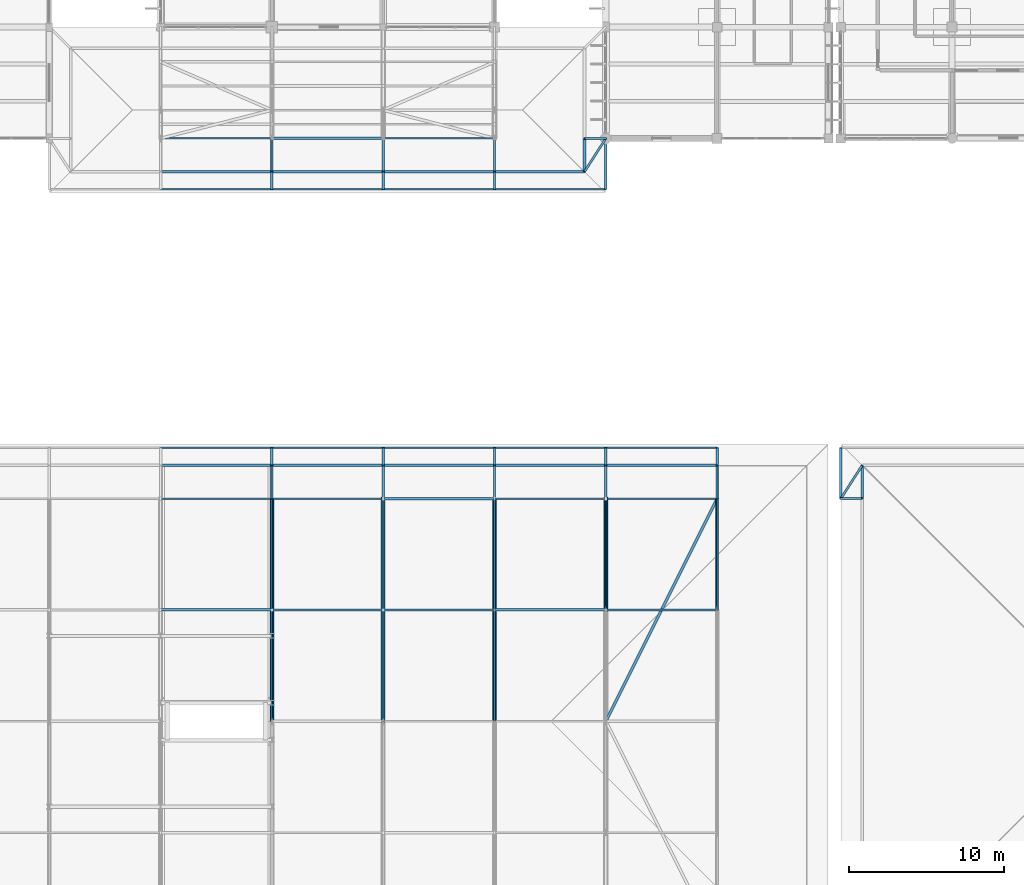
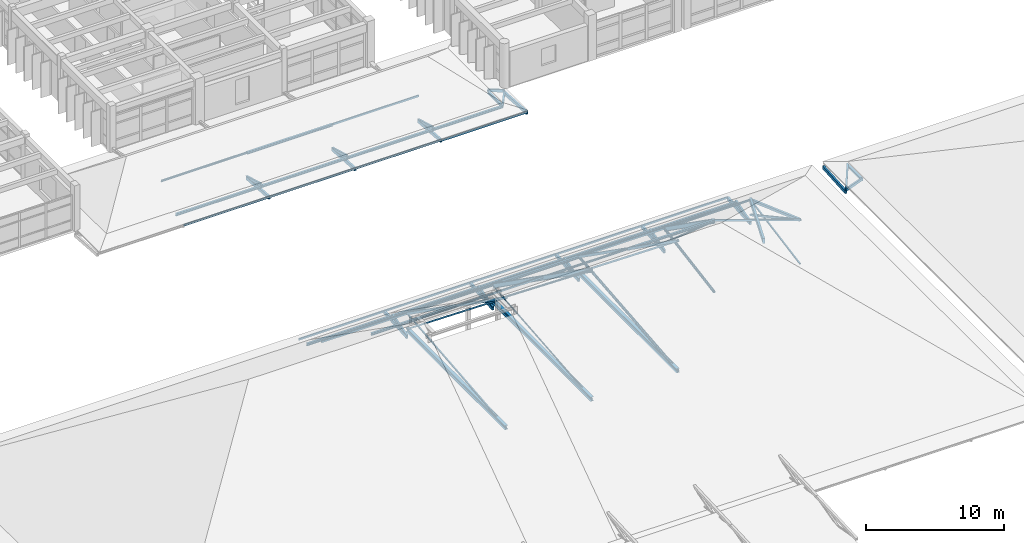
# One storey, part 12 of 100: 74 members.
"""IFC4 building model written with IfcOpenShell, lengths in metres."""

from ifc_helpers import new_model, si_unit, direction, frame, origin, origin_2d, place, context, subcontext, project, spatial, rectangle, hollow_rectangle, hollow_circle, i_section, extrude, material, material_profile, profile_set, type_object, element, save


model = new_model("IFC4")

# Units and contexts
model_context = context("Model", 3, precision=1e-05, world=origin(), true_north=direction((0.0, 1.0)))
body_context = subcontext(model_context, "Body", "Model", "MODEL_VIEW")
ifc_project = project(units=[si_unit("LENGTHUNIT", "METRE"), si_unit("AREAUNIT", "SQUARE_METRE"), si_unit("VOLUMEUNIT", "CUBIC_METRE"), si_unit("PLANEANGLEUNIT", "RADIAN"), si_unit("MASSUNIT", "GRAM", prefix="KILO")], contexts=[model_context])

# Site, building, storey
site_placement = place(None, origin())
site = spatial("IfcSite", under=ifc_project, at=site_placement, CompositionType="ELEMENT")
building_placement = place(site_placement, origin())
building = spatial("IfcBuilding", under=site, at=building_placement, Name="Steenspoor Specialist Clinic", CompositionType="ELEMENT")
storey_placement = place(building_placement, frame((0.0, 0.0, 9.0)))
storey = spatial("IfcBuildingStorey", under=building, at=storey_placement, Name="L02", CompositionType="ELEMENT", Elevation=9.0)

# Members
ifc_material_1 = material(Name="Steel A500 Grade C", Category="steel")
ifc_material_profile_1 = material_profile(ifc_material_1, hollow_circle(Radius=0.084228515625, WallThickness=0.007080078125, at=origin_2d()), Name="CHS168X7.1")
ifc_profile_set_1 = profile_set([ifc_material_profile_1], Name="Steel A500 Grade C")
member_type_1 = type_object("IfcMemberType", Name="MEM-BRACE-CHS168", PredefinedType="BRACE", material=ifc_profile_set_1)
member_1_placement = place(storey_placement, frame((88.39990234375, 27.449951171875, 11.6630859375), z_axis=(0.0, 0.782415513628, -0.622756745474), x_axis=(-1.0, 0.0, 0.0)))
element("IfcMember", 1, at=member_1_placement, inside=storey, type_object=member_type_1, Name="ROOF TRUSS Web Brace V1 7.2", PredefinedType="BRACE", context=body_context, shape_type="SweptSolid", body=[
    extrude(hollow_circle(Radius=0.084228515625, WallThickness=0.007080078125, at=origin_2d()), origin(), (0.0, 0.0, 1.0), 18.40478515625),
])
member_2_placement = place(storey_placement, frame((102.800048828125, 34.64990234375, 6.589111328125), z_axis=(0.0, 0.752709486732, -0.65835281467), x_axis=(-1.0, 0.0, 0.0)))
element("IfcMember", 2, at=member_2_placement, inside=storey, type_object=member_type_1, Name="ROOF TRUSS Web Brace V1 9.4", PredefinedType="BRACE", context=body_context, shape_type="SweptSolid", body=[
    extrude(hollow_circle(Radius=0.084228515625, WallThickness=0.007080078125, at=origin_2d()), origin(), (0.0, 0.0, 1.0), 9.565673828125),
])
ifc_material_profile_2 = material_profile(ifc_material_1, hollow_rectangle(XDim=0.126953125, YDim=0.126953125, WallThickness=0.005859375, at=origin_2d()), Name="HSS127X127X6.4")
ifc_profile_set_2 = profile_set([ifc_material_profile_2], Name="Steel A500 Grade C")
member_type_2 = type_object("IfcMemberType", Name="MEM-BRACE-H127B", PredefinedType="BRACE", material=ifc_profile_set_2)
member_3_placement = place(storey_placement, frame((81.199951171875, 27.449951171875, 11.728515625), z_axis=(0.0, 0.780684120504, -0.624925838794), x_axis=(-1.0, 0.0, 0.0)))
element("IfcMember", 3, at=member_3_placement, inside=storey, type_object=member_type_2, Name="ROOF TRUSS Web Brace V1 6.2", PredefinedType="BRACE", context=body_context, shape_type="SweptSolid", body=[
    extrude(hollow_rectangle(XDim=0.126953125, YDim=0.126953125, WallThickness=0.005859375, at=origin_2d()), origin(), (0.0, 0.0, 1.0), 18.445556640625),
])
ifc_material_profile_3 = material_profile(ifc_material_1, hollow_rectangle(XDim=0.15234375, YDim=0.15234375, WallThickness=0.0087890625, at=origin_2d()), Name="HSS152X152X9.5")
ifc_profile_set_3 = profile_set([ifc_material_profile_3], Name="Steel A500 Grade C")
member_type_3 = type_object("IfcMemberType", Name="MEM-BRACE-H152", PredefinedType="BRACE", material=ifc_profile_set_3)
member_4_placement = place(storey_placement, frame((95.60009765625, 27.449951171875, 11.728515625), z_axis=(0.0, 0.780684120504, -0.624925838794), x_axis=(-1.0, 0.0, 0.0)))
element("IfcMember", 4, at=member_4_placement, inside=storey, type_object=member_type_3, Name="ROOF TRUSS Web Brace V1 8.2", PredefinedType="BRACE", context=body_context, shape_type="SweptSolid", body=[
    extrude(hollow_rectangle(XDim=0.15234375, YDim=0.15234375, WallThickness=0.0087890625, at=origin_2d()), origin(), (0.0, 0.0, 1.0), 18.445556640625),
])
member_5_placement = place(storey_placement, frame((110.0, 34.64990234375, 4.16650390625), z_axis=(0.0, 0.878602771177, -0.477553316898), x_axis=(-1.0, 0.0, 0.0)))
element("IfcMember", 5, at=member_5_placement, inside=storey, type_object=member_type_3, Name="ROOF TRUSS Web Brace V1 10.4", PredefinedType="BRACE", context=body_context, shape_type="SweptSolid", body=[
    extrude(hollow_rectangle(XDim=0.15234375, YDim=0.15234375, WallThickness=0.0087890625, at=origin_2d()), origin(), (0.0, 0.0, 1.0), 8.195068359375),
])
ifc_material_profile_4 = material_profile(ifc_material_1, hollow_rectangle(XDim=0.203125, YDim=0.203125, WallThickness=0.01171875, at=origin_2d()), Name="HSS203X203X12.7")
ifc_profile_set_4 = profile_set([ifc_material_profile_4], Name="Steel A500 Grade C")
member_type_4 = type_object("IfcMemberType", Name="MEM-CHORD-H203", PredefinedType="CHORD", material=ifc_profile_set_4)
for number, where, z_axis, x_axis, name in (
    (6, (81.199951171875, 27.449951171875, 11.728515625), (0.0, 0.817405461194, -0.576062767423), (-1.0, 0.0, 0.0), "ROOF TRUSS Top Chord V1 6.2"),
    (7, (95.60009765625, 27.449951171875, 11.728515625), (0.0, 0.817405461194, -0.576062767423), (-1.0, 0.0, 0.0), "ROOF TRUSS Top Chord V1 8.2"),
):
    element("IfcMember", number, at=place(storey_placement, frame(where, z_axis=z_axis, x_axis=x_axis)), inside=storey, type_object=member_type_4, Name=name, PredefinedType="CHORD", context=body_context, shape_type="SweptSolid", body=[
        extrude(hollow_rectangle(XDim=0.203125, YDim=0.203125, WallThickness=0.01171875, at=origin_2d()), origin(), (0.0, 0.0, 1.0), 17.616943359375),
    ])
member_6_placement = place(storey_placement, frame((110.0, 34.64990234375, 4.16650390625), z_axis=(0.0, 0.941122314875, -0.338066248603), x_axis=(-1.0, 0.0, 0.0)))
element("IfcMember", 8, at=member_6_placement, inside=storey, type_object=member_type_4, Name="ROOF TRUSS Top Chord V1 10.4", PredefinedType="CHORD", context=body_context, shape_type="SweptSolid", body=[
    extrude(hollow_rectangle(XDim=0.203125, YDim=0.203125, WallThickness=0.01171875, at=origin_2d()), origin(), (0.0, 0.0, 1.0), 7.650634765625),
])
ifc_material_2 = material(Name="Steel A992 Grade 50", Category="steel")
ifc_material_profile_5 = material_profile(ifc_material_2, i_section(OverallWidth=0.257080078125, OverallDepth=0.363037109375, WebThickness=0.012939453125, FlangeThickness=0.021728515625, at=origin_2d()), Name="W360X122")
ifc_profile_set_5 = profile_set([ifc_material_profile_5], Name="Steel A992 Grade 50")
member_type_5 = type_object("IfcMemberType", Name="MEM-CHORD-W360", PredefinedType="CHORD", material=ifc_profile_set_5)
for number, where, z_axis, x_axis, name in (
    (9, (81.199951171875, 27.449951171875, 0.201416015625), (0.0, 1.0, 0.0), (-1.0, 0.0, 0.0), "ROOF TRUSS Bottom Chord V1 6.2"),
    (10, (88.39990234375, 27.449951171875, 0.201416015625), (0.0, 1.0, 0.0), (-1.0, 0.0, 0.0), "ROOF TRUSS Bottom Chord V1 7.2"),
):
    element("IfcMember", number, at=place(storey_placement, frame(where, z_axis=z_axis, x_axis=x_axis)), inside=storey, type_object=member_type_5, Name=name, PredefinedType="CHORD", context=body_context, shape_type="SweptSolid", body=[
        extrude(i_section(OverallWidth=0.257080078125, OverallDepth=0.363037109375, WebThickness=0.012939453125, FlangeThickness=0.021728515625, at=origin_2d()), origin(), (0.0, 0.0, 1.0), 14.400146484375),
    ])
member_7_placement = place(storey_placement, frame((88.39990234375, 27.449951171875, 11.6630859375), z_axis=(0.0, 0.817411986757, -0.57605350785), x_axis=(-1.0, 0.0, 0.0)))
element("IfcMember", 11, at=member_7_placement, inside=storey, type_object=member_type_5, Name="ROOF TRUSS Top Chord V1 7.2", PredefinedType="CHORD", context=body_context, shape_type="SweptSolid", body=[
    extrude(i_section(OverallWidth=0.257080078125, OverallDepth=0.363037109375, WebThickness=0.012939453125, FlangeThickness=0.021728515625, at=origin_2d()), origin(), (0.0, 0.0, 1.0), 17.61669921875),
])
member_8_placement = place(storey_placement, frame((95.60009765625, 27.449951171875, 0.201416015625), z_axis=(0.0, 1.0, 0.0), x_axis=(-1.0, 0.0, 0.0)))
element("IfcMember", 12, at=member_8_placement, inside=storey, type_object=member_type_5, Name="ROOF TRUSS Bottom Chord V1 8.2", PredefinedType="CHORD", context=body_context, shape_type="SweptSolid", body=[
    extrude(i_section(OverallWidth=0.257080078125, OverallDepth=0.363037109375, WebThickness=0.012939453125, FlangeThickness=0.021728515625, at=origin_2d()), origin(), (0.0, 0.0, 1.0), 14.400146484375),
])
member_9_placement = place(storey_placement, frame((102.800048828125, 34.64990234375, 6.589111328125), z_axis=(0.0, 0.817410059977, -0.576056241915), x_axis=(-1.0, 0.0, 0.0)))
element("IfcMember", 13, at=member_9_placement, inside=storey, type_object=member_type_5, Name="ROOF TRUSS Top Chord V1 9.4", PredefinedType="CHORD", context=body_context, shape_type="SweptSolid", body=[
    extrude(i_section(OverallWidth=0.257080078125, OverallDepth=0.363037109375, WebThickness=0.012939453125, FlangeThickness=0.021728515625, at=origin_2d()), origin(), (0.0, 0.0, 1.0), 8.80859375),
])
ifc_material_profile_6 = material_profile(ifc_material_1, hollow_rectangle(XDim=0.1015625, YDim=0.15234375, WallThickness=0.005859375, at=origin_2d()), Name="HSS152X102X6.4")
ifc_profile_set_6 = profile_set([ifc_material_profile_6], Name="Steel A500 Grade C")
member_type_6 = type_object("IfcMemberType", Name="MEM-PURLIN-H152", PredefinedType="PURLIN", material=ifc_profile_set_6)
for number, where, z_axis, x_axis, name in (
    (14, (74.0, 45.14990234375, -0.19482421875), (1.0, 0.0, 0.0), (0.0, 1.0, 0.0), "ROOF TRUSS Eave Fascia 14"),
    (15, (81.199951171875, 45.14990234375, -0.19482421875), (1.0, 0.0, 0.0), (0.0, 1.0, 0.0), "ROOF TRUSS Eave Fascia 15"),
):
    element("IfcMember", number, at=place(storey_placement, frame(where, z_axis=z_axis, x_axis=x_axis)), inside=storey, type_object=member_type_6, Name=name, PredefinedType="PURLIN", context=body_context, shape_type="SweptSolid", body=[
        extrude(hollow_rectangle(XDim=0.1015625, YDim=0.15234375, WallThickness=0.005859375, at=origin_2d()), origin(), (0.0, 0.0, 1.0), 7.199951171875),
    ])
member_10_placement = place(storey_placement, frame((88.39990234375, 45.14990234375, -0.19482421875), z_axis=(1.0, 0.0, 0.0), x_axis=(0.0, 1.0, 0.0)))
element("IfcMember", 16, at=member_10_placement, inside=storey, type_object=member_type_6, Name="ROOF TRUSS Eave Fascia 16", PredefinedType="PURLIN", context=body_context, shape_type="SweptSolid", body=[
    extrude(hollow_rectangle(XDim=0.1015625, YDim=0.15234375, WallThickness=0.005859375, at=origin_2d()), origin(), (0.0, 0.0, 1.0), 7.2001953125),
])
for number, where, z_axis, x_axis, name in (
    (17, (95.60009765625, 45.14990234375, -0.19482421875), (1.0, 0.0, 0.0), (0.0, 1.0, 0.0), "ROOF TRUSS Eave Fascia 17"),
    (18, (102.800048828125, 45.14990234375, -0.19482421875), (1.0, 0.0, 0.0), (0.0, 1.0, 0.0), "ROOF TRUSS Eave Fascia 18"),
    (19, (74.0, 41.85009765625, 1.587158203125), (1.0, 0.0, 0.0), (0.0, 1.0, 0.0), "ROOF TRUSS Purlin 61"),
    (20, (81.199951171875, 34.64990234375, 6.6611328125), (1.0, 0.0, 0.0), (0.0, 1.0, 0.0), "ROOF TRUSS Purlin 65"),
    (21, (95.60009765625, 41.85009765625, 1.587158203125), (1.0, 0.0, 0.0), (0.0, 1.0, 0.0), "ROOF TRUSS Purlin 76"),
):
    element("IfcMember", number, at=place(storey_placement, frame(where, z_axis=z_axis, x_axis=x_axis)), inside=storey, type_object=member_type_6, Name=name, PredefinedType="PURLIN", context=body_context, shape_type="SweptSolid", body=[
        extrude(hollow_rectangle(XDim=0.1015625, YDim=0.15234375, WallThickness=0.005859375, at=origin_2d()), origin(), (0.0, 0.0, 1.0), 7.199951171875),
    ])
member_11_placement = place(storey_placement, frame((102.800048828125, 34.64990234375, 6.6611328125), z_axis=(0.945178335277, 0.0, -0.326554611852), x_axis=(0.0, 1.0, 0.0)))
element("IfcMember", 22, at=member_11_placement, inside=storey, type_object=member_type_6, Name="ROOF TRUSS Purlin 80", PredefinedType="PURLIN", context=body_context, shape_type="SweptSolid", body=[
    extrude(hollow_rectangle(XDim=0.1015625, YDim=0.15234375, WallThickness=0.005859375, at=origin_2d()), origin(), (0.0, 0.0, 1.0), 7.61767578125),
])
for number, where, z_axis, x_axis, name in (
    (23, (74.0, 61.85009765625, -0.19482421875), (1.0, 0.0, 0.0), (0.0, 1.0, 0.0), "ROOF TRUSS Eave Fascia 196"),
    (24, (81.199951171875, 61.85009765625, -0.19482421875), (1.0, 0.0, 0.0), (0.0, 1.0, 0.0), "ROOF TRUSS Eave Fascia 197"),
):
    element("IfcMember", number, at=place(storey_placement, frame(where, z_axis=z_axis, x_axis=x_axis)), inside=storey, type_object=member_type_6, Name=name, PredefinedType="PURLIN", context=body_context, shape_type="SweptSolid", body=[
        extrude(hollow_rectangle(XDim=0.1015625, YDim=0.15234375, WallThickness=0.005859375, at=origin_2d()), origin(), (0.0, 0.0, 1.0), 7.199951171875),
    ])
member_12_placement = place(storey_placement, frame((88.39990234375, 61.85009765625, -0.19482421875), z_axis=(1.0, 0.0, 0.0), x_axis=(0.0, 1.0, 0.0)))
element("IfcMember", 25, at=member_12_placement, inside=storey, type_object=member_type_6, Name="ROOF TRUSS Eave Fascia 198", PredefinedType="PURLIN", context=body_context, shape_type="SweptSolid", body=[
    extrude(hollow_rectangle(XDim=0.1015625, YDim=0.15234375, WallThickness=0.005859375, at=origin_2d()), origin(), (0.0, 0.0, 1.0), 7.2001953125),
])
member_13_placement = place(storey_placement, frame((95.60009765625, 61.85009765625, -0.243408203125), z_axis=(1.0, 0.0, 0.0), x_axis=(0.0, 1.0, 0.0)))
element("IfcMember", 26, at=member_13_placement, inside=storey, type_object=member_type_6, Name="ROOF TRUSS Eave Fascia 199", PredefinedType="PURLIN", context=body_context, shape_type="SweptSolid", body=[
    extrude(hollow_rectangle(XDim=0.1015625, YDim=0.15234375, WallThickness=0.005859375, at=origin_2d()), origin(), (0.0, 0.0, 1.0), 7.199951171875),
])
member_14_placement = place(storey_placement, frame((88.39990234375, 65.14990234375, 1.718994140625), z_axis=(1.0, 0.0, 0.0), x_axis=(0.0, 1.0, 0.0)))
element("IfcMember", 27, at=member_14_placement, inside=storey, type_object=member_type_6, Name="ROOF TRUSS Purlin 224", PredefinedType="PURLIN", context=body_context, shape_type="SweptSolid", body=[
    extrude(hollow_rectangle(XDim=0.1015625, YDim=0.15234375, WallThickness=0.005859375, at=origin_2d()), origin(), (0.0, 0.0, 1.0), 7.2001953125),
])
ifc_material_profile_7 = material_profile(ifc_material_2, i_section(OverallWidth=0.10205078125, OverallDepth=0.159912109375, WebThickness=0.006591796875, FlangeThickness=0.01025390625, at=origin_2d()), Name="W150X24")
ifc_profile_set_7 = profile_set([ifc_material_profile_7], Name="Steel A992 Grade 50")
member_type_7 = type_object("IfcMemberType", Name="MEM-PURLIN-W150", PredefinedType="PURLIN", material=ifc_profile_set_7)
member_15_placement = place(storey_placement, frame((81.199951171875, 41.85009765625, 1.583251953125), z_axis=(1.0, 0.0, 0.0), x_axis=(0.0, 1.0, 0.0)))
element("IfcMember", 28, at=member_15_placement, inside=storey, type_object=member_type_7, Name="ROOF TRUSS Purlin 66", PredefinedType="PURLIN", context=body_context, shape_type="SweptSolid", body=[
    extrude(i_section(OverallWidth=0.10205078125, OverallDepth=0.159912109375, WebThickness=0.006591796875, FlangeThickness=0.01025390625, at=origin_2d()), origin(), (0.0, 0.0, 1.0), 7.199951171875),
])
member_16_placement = place(storey_placement, frame((88.39990234375, 34.64990234375, 6.657470703125), z_axis=(1.0, 0.0, 0.0), x_axis=(0.0, 1.0, 0.0)))
element("IfcMember", 29, at=member_16_placement, inside=storey, type_object=member_type_7, Name="ROOF TRUSS Purlin 70", PredefinedType="PURLIN", context=body_context, shape_type="SweptSolid", body=[
    extrude(i_section(OverallWidth=0.10205078125, OverallDepth=0.159912109375, WebThickness=0.006591796875, FlangeThickness=0.01025390625, at=origin_2d()), origin(), (0.0, 0.0, 1.0), 7.2001953125),
])
for number, where, z_axis, x_axis, name in (
    (30, (102.800048828125, 41.85009765625, 1.583251953125), (1.0, 0.0, 0.0), (0.0, 1.0, 0.0), "ROOF TRUSS Purlin 81"),
    (31, (74.0, 65.14990234375, 1.715087890625), (1.0, 0.0, 0.0), (0.0, 1.0, 0.0), "ROOF TRUSS Purlin 214"),
):
    element("IfcMember", number, at=place(storey_placement, frame(where, z_axis=z_axis, x_axis=x_axis)), inside=storey, type_object=member_type_7, Name=name, PredefinedType="PURLIN", context=body_context, shape_type="SweptSolid", body=[
        extrude(i_section(OverallWidth=0.10205078125, OverallDepth=0.159912109375, WebThickness=0.006591796875, FlangeThickness=0.01025390625, at=origin_2d()), origin(), (0.0, 0.0, 1.0), 7.199951171875),
    ])
ifc_material_profile_8 = material_profile(ifc_material_2, i_section(OverallWidth=0.1650390625, OverallDepth=0.200927734375, WebThickness=0.006103515625, FlangeThickness=0.01025390625, at=origin_2d()), Name="W200X36")
ifc_profile_set_8 = profile_set([ifc_material_profile_8], Name="Steel A992 Grade 50")
member_type_8 = type_object("IfcMemberType", Name="MEM-PURLIN-W200", PredefinedType="PURLIN", material=ifc_profile_set_8)
for number, where, z_axis, x_axis, name in (
    (32, (74.0, 44.0, 0.049560546875), (1.0, 0.0, 0.0), (0.0, 1.0, 0.0), "ROOF TRUSS Knuckle Purlin 31"),
    (33, (81.199951171875, 44.0, 0.049560546875), (1.0, 0.0, 0.0), (0.0, 1.0, 0.0), "ROOF TRUSS Knuckle Purlin 33"),
):
    element("IfcMember", number, at=place(storey_placement, frame(where, z_axis=z_axis, x_axis=x_axis)), inside=storey, type_object=member_type_8, Name=name, PredefinedType="PURLIN", context=body_context, shape_type="SweptSolid", body=[
        extrude(i_section(OverallWidth=0.1650390625, OverallDepth=0.200927734375, WebThickness=0.006103515625, FlangeThickness=0.01025390625, at=origin_2d()), origin(), (0.0, 0.0, 1.0), 7.199951171875),
    ])
member_17_placement = place(storey_placement, frame((88.39990234375, 44.0, 0.049560546875), z_axis=(1.0, 0.0, 0.0), x_axis=(0.0, 1.0, 0.0)))
element("IfcMember", 34, at=member_17_placement, inside=storey, type_object=member_type_8, Name="ROOF TRUSS Knuckle Purlin 35", PredefinedType="PURLIN", context=body_context, shape_type="SweptSolid", body=[
    extrude(i_section(OverallWidth=0.1650390625, OverallDepth=0.200927734375, WebThickness=0.006103515625, FlangeThickness=0.01025390625, at=origin_2d()), origin(), (0.0, 0.0, 1.0), 7.2001953125),
])
for number, where, z_axis, x_axis, name in (
    (35, (95.60009765625, 44.0, 0.049560546875), (1.0, 0.0, 0.0), (0.0, 1.0, 0.0), "ROOF TRUSS Knuckle Purlin 37"),
    (36, (102.800048828125, 44.0, 0.049560546875), (1.0, 0.0, 0.0), (0.0, 1.0, 0.0), "ROOF TRUSS Knuckle Purlin 39"),
    (37, (74.0, 34.64990234375, 6.636962890625), (1.0, 0.0, 0.0), (0.0, 1.0, 0.0), "ROOF TRUSS Purlin 60"),
):
    element("IfcMember", number, at=place(storey_placement, frame(where, z_axis=z_axis, x_axis=x_axis)), inside=storey, type_object=member_type_8, Name=name, PredefinedType="PURLIN", context=body_context, shape_type="SweptSolid", body=[
        extrude(i_section(OverallWidth=0.1650390625, OverallDepth=0.200927734375, WebThickness=0.006103515625, FlangeThickness=0.01025390625, at=origin_2d()), origin(), (0.0, 0.0, 1.0), 7.199951171875),
    ])
member_18_placement = place(storey_placement, frame((88.39990234375, 41.85009765625, 1.562744140625), z_axis=(1.0, 0.0, 0.0), x_axis=(0.0, 1.0, 0.0)))
element("IfcMember", 38, at=member_18_placement, inside=storey, type_object=member_type_8, Name="ROOF TRUSS Purlin 71", PredefinedType="PURLIN", context=body_context, shape_type="SweptSolid", body=[
    extrude(i_section(OverallWidth=0.1650390625, OverallDepth=0.200927734375, WebThickness=0.006103515625, FlangeThickness=0.01025390625, at=origin_2d()), origin(), (0.0, 0.0, 1.0), 7.2001953125),
])
member_19_placement = place(storey_placement, frame((95.60009765625, 34.64990234375, 6.636962890625), z_axis=(1.0, 0.0, 0.0), x_axis=(0.0, 1.0, 0.0)))
element("IfcMember", 39, at=member_19_placement, inside=storey, type_object=member_type_8, Name="ROOF TRUSS Purlin 75", PredefinedType="PURLIN", context=body_context, shape_type="SweptSolid", body=[
    extrude(i_section(OverallWidth=0.1650390625, OverallDepth=0.200927734375, WebThickness=0.006103515625, FlangeThickness=0.01025390625, at=origin_2d()), origin(), (0.0, 0.0, 1.0), 7.199951171875),
])
member_20_placement = place(storey_placement, frame((119.3798828125, 41.85009765625, 0.068603515625), z_axis=(0.0, 1.0, 0.0), x_axis=(-1.0, 0.0, 0.0)))
element("IfcMember", 40, at=member_20_placement, inside=storey, type_object=member_type_8, Name="ROOF TRUSS Knuckle Purlin 123", PredefinedType="PURLIN", context=body_context, shape_type="SweptSolid", body=[
    extrude(i_section(OverallWidth=0.1650390625, OverallDepth=0.200927734375, WebThickness=0.006103515625, FlangeThickness=0.01025390625, at=origin_2d()), origin(), (0.0, 0.0, 1.0), 2.14990234375),
])
for number, where, z_axis, x_axis, name in (
    (41, (74.0, 63.0, 0.0439453125), (1.0, 0.0, 0.0), (0.0, 1.0, 0.0), "ROOF TRUSS Knuckle Purlin 202"),
    (42, (81.199951171875, 63.0, 0.0439453125), (1.0, 0.0, 0.0), (0.0, 1.0, 0.0), "ROOF TRUSS Knuckle Purlin 204"),
):
    element("IfcMember", number, at=place(storey_placement, frame(where, z_axis=z_axis, x_axis=x_axis)), inside=storey, type_object=member_type_8, Name=name, PredefinedType="PURLIN", context=body_context, shape_type="SweptSolid", body=[
        extrude(i_section(OverallWidth=0.1650390625, OverallDepth=0.200927734375, WebThickness=0.006103515625, FlangeThickness=0.01025390625, at=origin_2d()), origin(), (0.0, 0.0, 1.0), 7.199951171875),
    ])
member_21_placement = place(storey_placement, frame((88.39990234375, 63.0, 0.0439453125), z_axis=(1.0, 0.0, 0.0), x_axis=(0.0, 1.0, 0.0)))
element("IfcMember", 43, at=member_21_placement, inside=storey, type_object=member_type_8, Name="ROOF TRUSS Knuckle Purlin 206", PredefinedType="PURLIN", context=body_context, shape_type="SweptSolid", body=[
    extrude(i_section(OverallWidth=0.1650390625, OverallDepth=0.200927734375, WebThickness=0.006103515625, FlangeThickness=0.01025390625, at=origin_2d()), origin(), (0.0, 0.0, 1.0), 7.2001953125),
])
member_22_placement = place(storey_placement, frame((95.60009765625, 63.0, 0.0439453125), z_axis=(1.0, 0.0, 0.0), x_axis=(0.0, 1.0, 0.0)))
element("IfcMember", 44, at=member_22_placement, inside=storey, type_object=member_type_8, Name="ROOF TRUSS Knuckle Purlin 208", PredefinedType="PURLIN", context=body_context, shape_type="SweptSolid", body=[
    extrude(i_section(OverallWidth=0.1650390625, OverallDepth=0.200927734375, WebThickness=0.006103515625, FlangeThickness=0.01025390625, at=origin_2d()), origin(), (0.0, 0.0, 1.0), 5.81982421875),
])
member_23_placement = place(storey_placement, frame((101.419921875, 63.0, 0.0439453125), z_axis=(0.0, 1.0, 0.0), x_axis=(-1.0, 0.0, 0.0)))
element("IfcMember", 45, at=member_23_placement, inside=storey, type_object=member_type_8, Name="ROOF TRUSS Knuckle Purlin 212", PredefinedType="PURLIN", context=body_context, shape_type="SweptSolid", body=[
    extrude(i_section(OverallWidth=0.1650390625, OverallDepth=0.200927734375, WebThickness=0.006103515625, FlangeThickness=0.01025390625, at=origin_2d()), origin(), (0.0, 0.0, 1.0), 2.14990234375),
])
member_24_placement = place(storey_placement, frame((81.199951171875, 65.14990234375, 1.694580078125), z_axis=(1.0, 0.0, 0.0), x_axis=(0.0, 1.0, 0.0)))
element("IfcMember", 46, at=member_24_placement, inside=storey, type_object=member_type_8, Name="ROOF TRUSS Purlin 219", PredefinedType="PURLIN", context=body_context, shape_type="SweptSolid", body=[
    extrude(i_section(OverallWidth=0.1650390625, OverallDepth=0.200927734375, WebThickness=0.006103515625, FlangeThickness=0.01025390625, at=origin_2d()), origin(), (0.0, 0.0, 1.0), 7.199951171875),
])
ifc_material_3 = material(Name="Glulam GL28h", Category="wood")
ifc_material_profile_9 = material_profile(ifc_material_3, rectangle(XDim=0.139892578125, YDim=0.219970703125, at=origin_2d()), Name="GL28H-140X220")
ifc_profile_set_9 = profile_set([ifc_material_profile_9], Name="Glulam GL28h")
member_type_9 = type_object("IfcMemberType", Name="MEM-RAFTER-GL220", PredefinedType="RAFTER", material=ifc_profile_set_9)
for number, where, z_axis, x_axis, name in (
    (47, (81.199951171875, 41.85009765625, -0.42333984375), (0.0, 0.963210130486, 0.268749408426), (-1.0, 0.0, 0.0), "ROOF TRUSS Knuckle Rafter V1 20"),
    (48, (88.39990234375, 41.85009765625, -0.42333984375), (0.0, 0.963210130486, 0.268749408426), (-1.0, 0.0, 0.0), "ROOF TRUSS Knuckle Rafter V1 24"),
    (49, (95.60009765625, 41.85009765625, -0.42333984375), (0.0, 0.963210130486, 0.268749408426), (-1.0, 0.0, 0.0), "ROOF TRUSS Knuckle Rafter V1 28"),
    (50, (102.800048828125, 41.85009765625, -0.42333984375), (0.0, 0.963210130486, 0.268749408426), (-1.0, 0.0, 0.0), "ROOF TRUSS Knuckle Rafter V1 32"),
    (51, (110.0, 41.85009765625, -0.42333984375), (0.0, 0.963210130486, 0.268749408426), (-1.0, 0.0, 0.0), "ROOF TRUSS Knuckle Rafter V1 36"),
):
    element("IfcMember", number, at=place(storey_placement, frame(where, z_axis=z_axis, x_axis=x_axis)), inside=storey, type_object=member_type_9, Name=name, PredefinedType="RAFTER", context=body_context, shape_type="SweptSolid", body=[
        extrude(rectangle(XDim=0.139892578125, YDim=0.219970703125, at=origin_2d()), origin(), (0.0, 0.0, 1.0), 2.23193359375),
    ])
member_25_placement = place(storey_placement, frame((118.0, 41.85009765625, -0.331298828125), z_axis=(0.938467789517, 0.0, 0.345366773212), x_axis=(0.0, 1.0, 0.0)))
element("IfcMember", 52, at=member_25_placement, inside=storey, type_object=member_type_9, Name="ROOF TRUSS Knuckle Rafter V2 68", PredefinedType="RAFTER", context=body_context, shape_type="SweptSolid", body=[
    extrude(rectangle(XDim=0.139892578125, YDim=0.219970703125, at=origin_2d()), origin(), (0.0, 0.0, 1.0), 1.470458984375),
])
member_26_placement = place(storey_placement, frame((118.0, 41.85009765625, -0.4423828125), z_axis=(0.524962948541, 0.817909363916, 0.235453127132), x_axis=(-0.841569496422, 0.540148852348, 0.0)))
element("IfcMember", 53, at=member_26_placement, inside=storey, type_object=member_type_9, Name="ROOF TRUSS Corner Knuckle Rafter V2 74", PredefinedType="RAFTER", context=body_context, shape_type="SweptSolid", body=[
    extrude(rectangle(XDim=0.139892578125, YDim=0.219970703125, at=origin_2d()), origin(), (0.0, 0.0, 1.0), 2.62841796875),
])
for number, where, z_axis, x_axis, name in (
    (54, (81.199951171875, 65.14990234375, -0.42919921875), (0.0, -0.962527985717, 0.271182367995), (1.0, 0.0, 0.0), "ROOF TRUSS Knuckle Rafter V4T1 120"),
    (55, (88.39990234375, 65.14990234375, -0.42919921875), (0.0, -0.962527985717, 0.271182367995), (1.0, 0.0, 0.0), "ROOF TRUSS Knuckle Rafter V4T1 123"),
    (56, (95.60009765625, 65.14990234375, -0.42919921875), (0.0, -0.962527985717, 0.271182367995), (1.0, 0.0, 0.0), "ROOF TRUSS Knuckle Rafter V4T1 126"),
):
    element("IfcMember", number, at=place(storey_placement, frame(where, z_axis=z_axis, x_axis=x_axis)), inside=storey, type_object=member_type_9, Name=name, PredefinedType="RAFTER", context=body_context, shape_type="SweptSolid", body=[
        extrude(rectangle(XDim=0.139892578125, YDim=0.219970703125, at=origin_2d()), origin(), (0.0, 0.0, 1.0), 2.233642578125),
    ])
member_27_placement = place(storey_placement, frame((102.800048828125, 65.14990234375, -0.356201171875), z_axis=(-0.932915349138, 0.0, 0.360095753019), x_axis=(0.0, -1.0, 0.0)))
element("IfcMember", 57, at=member_27_placement, inside=storey, type_object=member_type_9, Name="ROOF TRUSS Knuckle Rafter V4T1 130", PredefinedType="RAFTER", context=body_context, shape_type="SweptSolid", body=[
    extrude(rectangle(XDim=0.139892578125, YDim=0.219970703125, at=origin_2d()), origin(), (0.0, 0.0, 1.0), 1.479248046875),
])
member_28_placement = place(storey_placement, frame((102.800048828125, 65.14990234375, -0.467041015625), z_axis=(-0.523851546319, -0.816033383493, 0.244272541323), x_axis=(0.841526053449, -0.540216531927, 0.0)))
element("IfcMember", 58, at=member_28_placement, inside=storey, type_object=member_type_9, Name="ROOF TRUSS Corner Knuckle Rafter V4T1 133", PredefinedType="RAFTER", context=body_context, shape_type="SweptSolid", body=[
    extrude(rectangle(XDim=0.139892578125, YDim=0.219970703125, at=origin_2d()), origin(), (0.0, 0.0, 1.0), 2.634521484375),
])
ifc_material_profile_10 = material_profile(ifc_material_3, rectangle(XDim=0.159912109375, YDim=0.280029296875, at=origin_2d()), Name="GL28H-160X280")
ifc_profile_set_10 = profile_set([ifc_material_profile_10], Name="Glulam GL28h")
member_type_10 = type_object("IfcMemberType", Name="MEM-RAFTER-GL280", PredefinedType="RAFTER", material=ifc_profile_set_10)
for number, where, z_axis, x_axis, name in (
    (59, (81.199951171875, 41.85009765625, -0.5), (0.0, 0.997518288162, 0.070407846027), (-1.0, 0.0, 0.0), "ROOF TRUSS Flared Eave Glulam Outrigger V1 19"),
    (60, (88.39990234375, 41.85009765625, -0.5), (0.0, 0.997518288162, 0.070407846027), (-1.0, 0.0, 0.0), "ROOF TRUSS Flared Eave Glulam Outrigger V1 23"),
    (61, (95.60009765625, 41.85009765625, -0.5), (0.0, 0.997518288162, 0.070407846027), (-1.0, 0.0, 0.0), "ROOF TRUSS Flared Eave Glulam Outrigger V1 27"),
    (62, (102.800048828125, 41.85009765625, -0.5), (0.0, 0.997518288162, 0.070407846027), (-1.0, 0.0, 0.0), "ROOF TRUSS Flared Eave Glulam Outrigger V1 31"),
    (63, (110.0, 41.85009765625, -0.5), (0.0, 0.997518288162, 0.070407846027), (-1.0, 0.0, 0.0), "ROOF TRUSS Flared Eave Glulam Outrigger V1 35"),
    (64, (118.0, 41.85009765625, -0.5400390625), (0.0, 0.997518288162, 0.070407846027), (-1.0, 0.0, 0.0), "ROOF TRUSS Flared Eave Glulam Outrigger V2 46"),
    (65, (81.199951171875, 65.14990234375, -0.5), (0.0, -0.997518288162, 0.070407846027), (1.0, 0.0, 0.0), "ROOF TRUSS Flared Eave Glulam Outrigger V4T1 119"),
    (66, (88.39990234375, 65.14990234375, -0.5), (0.0, -0.997518288162, 0.070407846027), (1.0, 0.0, 0.0), "ROOF TRUSS Flared Eave Glulam Outrigger V4T1 122"),
    (67, (95.60009765625, 65.14990234375, -0.5), (0.0, -0.997518288162, 0.070407846027), (1.0, 0.0, 0.0), "ROOF TRUSS Flared Eave Glulam Outrigger V4T1 125"),
    (68, (102.800048828125, 65.14990234375, -0.5400390625), (0.0, -0.997518288162, 0.070407846027), (1.0, 0.0, 0.0), "ROOF TRUSS Flared Eave Glulam Outrigger V4T1 128"),
):
    element("IfcMember", number, at=place(storey_placement, frame(where, z_axis=z_axis, x_axis=x_axis)), inside=storey, type_object=member_type_10, Name=name, PredefinedType="RAFTER", context=body_context, shape_type="SweptSolid", body=[
        extrude(rectangle(XDim=0.159912109375, YDim=0.280029296875, at=origin_2d()), origin(), (0.0, 0.0, 1.0), 3.30810546875),
    ])
ifc_material_profile_11 = material_profile(ifc_material_3, rectangle(XDim=0.179931640625, YDim=0.360107421875, at=origin_2d()), Name="GL28H-180X360")
ifc_profile_set_11 = profile_set([ifc_material_profile_11], Name="Glulam GL28h")
member_type_11 = type_object("IfcMemberType", Name="MEM-RAFTER-GL360", PredefinedType="RAFTER", material=ifc_profile_set_11)
member_29_placement = place(storey_placement, frame((110.0, 41.85009765625, 1.580078125), z_axis=(-0.404459213368, -0.808932141402, 0.426663257532), x_axis=(0.89443022382, -0.447207529808, 0.0)))
element("IfcMember", 69, at=member_29_placement, inside=storey, type_object=member_type_11, Name="ROOF TRUSS Hip Rafter V1 85", PredefinedType="RAFTER", context=body_context, shape_type="SweptSolid", body=[
    extrude(rectangle(XDim=0.179931640625, YDim=0.360107421875, at=origin_2d()), origin(), (0.0, 0.0, 1.0), 17.801513671875),
])
ifc_material_profile_12 = material_profile(ifc_material_1, hollow_circle(Radius=0.05712890625, WallThickness=0.006103515625, at=origin_2d()), Name="CHS114X6.0")
ifc_profile_set_12 = profile_set([ifc_material_profile_12], Name="Steel A500 Grade C")
member_type_12 = type_object("IfcMemberType", Name="MEM-STRUT-CHS114", PredefinedType="STRUT", material=ifc_profile_set_12)
member_30_placement = place(storey_placement, frame((88.39990234375, 27.449951171875, 0.201416015625), z_axis=(0.0, 0.995865897889, 0.090835639602), x_axis=(-1.0, 0.0, 0.0)))
element("IfcMember", 70, at=member_30_placement, inside=storey, type_object=member_type_12, Name="ROOF TRUSS Web Strut V1 7.2", PredefinedType="STRUT", context=body_context, shape_type="SweptSolid", body=[
    extrude(hollow_circle(Radius=0.05712890625, WallThickness=0.006103515625, at=origin_2d()), origin(), (0.0, 0.0, 1.0), 14.4599609375),
])
ifc_material_profile_13 = material_profile(ifc_material_1, hollow_circle(Radius=0.109619140625, WallThickness=0.00830078125, at=origin_2d()), Name="CHS219X8.2")
ifc_profile_set_13 = profile_set([ifc_material_profile_13], Name="Steel A500 Grade C")
member_type_13 = type_object("IfcMemberType", Name="MEM-STRUT-CHS219", PredefinedType="STRUT", material=ifc_profile_set_13)
member_31_placement = place(storey_placement, frame((95.60009765625, 27.449951171875, 0.201416015625), z_axis=(0.0, 0.995448246207, 0.095303667944), x_axis=(-1.0, 0.0, 0.0)))
element("IfcMember", 71, at=member_31_placement, inside=storey, type_object=member_type_13, Name="ROOF TRUSS Web Strut V1 8.2", PredefinedType="STRUT", context=body_context, shape_type="SweptSolid", body=[
    extrude(hollow_circle(Radius=0.109619140625, WallThickness=0.00830078125, at=origin_2d()), origin(), (0.0, 0.0, 1.0), 14.466064453125),
])
member_32_placement = place(storey_placement, frame((102.800048828125, 34.64990234375, 0.29150390625), z_axis=(0.0, 0.985870424207, 0.167509721135), x_axis=(-1.0, 0.0, 0.0)))
element("IfcMember", 72, at=member_32_placement, inside=storey, type_object=member_type_13, Name="ROOF TRUSS Web Strut V1 9.4", PredefinedType="STRUT", context=body_context, shape_type="SweptSolid", body=[
    extrude(hollow_circle(Radius=0.109619140625, WallThickness=0.00830078125, at=origin_2d()), origin(), (0.0, 0.0, 1.0), 7.303466796875),
])
ifc_material_profile_14 = material_profile(ifc_material_1, hollow_rectangle(XDim=0.1015625, YDim=0.1015625, WallThickness=0.005859375, at=origin_2d()), Name="HSS102X102X6.4")
ifc_profile_set_14 = profile_set([ifc_material_profile_14], Name="Steel A500 Grade C")
member_type_14 = type_object("IfcMemberType", Name="MEM-STRUT-H102", PredefinedType="STRUT", material=ifc_profile_set_14)
member_33_placement = place(storey_placement, frame((81.199951171875, 27.449951171875, 0.201416015625), z_axis=(0.0, 0.995448246207, 0.095303667944), x_axis=(-1.0, 0.0, 0.0)))
element("IfcMember", 73, at=member_33_placement, inside=storey, type_object=member_type_14, Name="ROOF TRUSS Web Strut V1 6.2", PredefinedType="STRUT", context=body_context, shape_type="SweptSolid", body=[
    extrude(hollow_rectangle(XDim=0.1015625, YDim=0.1015625, WallThickness=0.005859375, at=origin_2d()), origin(), (0.0, 0.0, 1.0), 14.466064453125),
])
member_34_placement = place(storey_placement, frame((110.0, 34.64990234375, 0.2529296875), z_axis=(0.0, 0.983433796395, 0.181267669782), x_axis=(-1.0, 0.0, 0.0)))
element("IfcMember", 74, at=member_34_placement, inside=storey, type_object=member_type_14, Name="ROOF TRUSS Web Strut V1 10.4", PredefinedType="STRUT", context=body_context, shape_type="SweptSolid", body=[
    extrude(hollow_rectangle(XDim=0.1015625, YDim=0.1015625, WallThickness=0.005859375, at=origin_2d()), origin(), (0.0, 0.0, 1.0), 7.321533203125),
])

save(model, "model.ifc")
